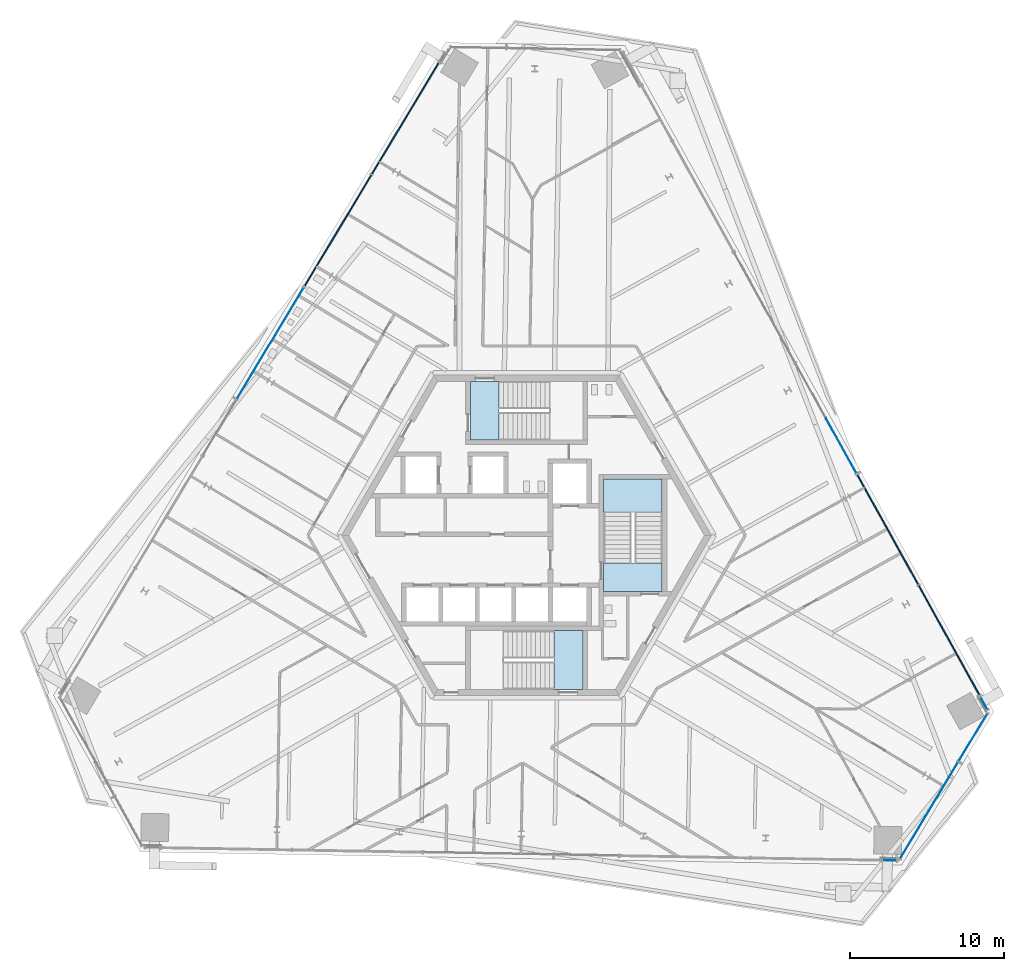
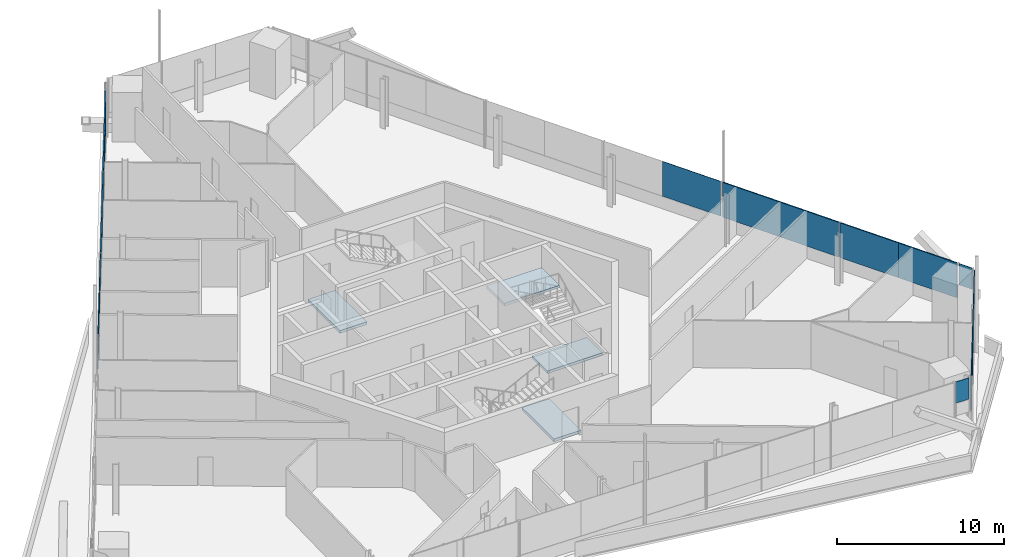
# One storey, part 12 of 22: 16 plates, 4 slabs, 10 elements without a shape of their own.
"""IFC4 building model written with IfcOpenShell, lengths in metres."""

from ifc_helpers import new_model, si_unit, direction, frame, origin, origin_2d, place, context, subcontext, project, spatial, polyline, rectangle, outline, extrude, source, transform, mapped, material, layer, layer_set, type_object, element, aggregate, save


model = new_model("IFC4")

# Units and contexts
model_context = context("Model", 3, precision=1e-05, world=origin(), true_north=direction((0.0, 1.0)))
body_context = subcontext(model_context, "Body", "Model", "MODEL_VIEW")
ifc_project = project(units=[si_unit("LENGTHUNIT", "METRE"), si_unit("AREAUNIT", "SQUARE_METRE"), si_unit("VOLUMEUNIT", "CUBIC_METRE"), si_unit("PLANEANGLEUNIT", "RADIAN"), si_unit("MASSUNIT", "GRAM", prefix="KILO")], contexts=[model_context])

# Site, building, storey
site_placement = place(None, origin())
site = spatial("IfcSite", under=ifc_project, at=site_placement, CompositionType="ELEMENT")
building_placement = place(site_placement, origin())
building = spatial("IfcBuilding", under=site, at=building_placement, Name="Triune Harvest Tower", CompositionType="ELEMENT")
storey_placement = place(building_placement, frame((0.0, 0.0, 179.89990234375)))
storey = spatial("IfcBuildingStorey", under=building, at=storey_placement, Name="L46", CompositionType="ELEMENT", Elevation=179.89990234375)

# Curtain wall, plate
ifc_material_1 = material(Name="Aluminium bronze anodised", Category="aluminium")
curtain_wall_type_1 = type_object("IfcCurtainWallType", Name="CW-1 Tower stick curtain wall", PredefinedType="NOTDEFINED", material=ifc_material_1)
curtain_wall_1_placement = place(storey_placement, origin())
curtain_wall_1 = element("IfcCurtainWall", 1, at=curtain_wall_1_placement, inside=storey, type_object=curtain_wall_type_1, Name="CW-1 B5-F3 L46 run 1101")
ifc_material_2 = material(Name="Glass", Category="glass")
ifc_layer_1 = layer(ifc_material_2, 0.031982421875)
ifc_layer_set_1 = layer_set([ifc_layer_1], Name="Glass")
plate_type_1 = type_object("IfcPlateType", Name="GL-1 panel 32", PredefinedType="CURTAIN_PANEL", material=ifc_layer_set_1)
plate_1_placement = place(storey_placement, frame((-17.714111328125, 10.66552734375, 0.900146484375), z_axis=(0.0, 0.0, 1.0), x_axis=(-0.515043008225, -0.857164336448, 0.0)))
plate_1 = element("IfcPlate", 2, at=plate_1_placement, type_object=plate_type_1, Name="CW-1 panel B5-F3 1101.2", PredefinedType="CURTAIN_PANEL", context=body_context, shape_type="SweptSolid", body=[
    extrude(rectangle(XDim=4.216552734375, YDim=0.031982421875, at=origin_2d()), origin(), (0.0, 0.0, 1.0), 2.5400390625),
])

curtain_wall_2_placement = place(storey_placement, origin())
curtain_wall_2 = element("IfcCurtainWall", 3, at=curtain_wall_2_placement, inside=storey, type_object=curtain_wall_type_1, Name="CW-1 B5-F5 L46 run 201")
plate_2_placement = place(storey_placement, frame((23.5556640625, -21.09130859375, 1.88525390625), z_axis=(0.0, 0.0, 1.0), x_axis=(0.999848863324, -0.017385353313, 0.0)))
plate_2 = element("IfcPlate", 4, at=plate_2_placement, type_object=plate_type_1, Name="CW-1 panel B5-F5 201.1", PredefinedType="CURTAIN_PANEL", context=body_context, shape_type="SweptSolid", body=[
    extrude(rectangle(XDim=0.89697265625, YDim=0.031982421875, at=origin_2d()), origin(), (0.0, 0.0, 1.0), 1.554931640625),
])
aggregate(curtain_wall_2, [plate_2])

# Stair, slab
ifc_material_3 = material(Name="Concrete 40 MPa", Category="concrete")
stair_type = type_object("IfcStairType", Name="Exit stair 1800 half turn", PredefinedType="HALF_TURN_STAIR", material=ifc_material_3)
stair_1_placement = place(storey_placement, origin())
stair_1 = element("IfcStair", 5, at=stair_1_placement, inside=storey, type_object=stair_type, Name="Exit stair north", PredefinedType="HALF_TURN_STAIR")
ifc_material_4 = material(Name="Concrete 40 MPa", Category="concrete")
ifc_layer_2 = layer(ifc_material_4, 0.199951171875)
ifc_layer_set_2 = layer_set([ifc_layer_2], Name="Concrete 40 MPa")
slab_type = type_object("IfcSlabType", Name="Stair landing 200", PredefinedType="LANDING", material=ifc_layer_set_2)
shared_shape_1 = source(origin(), body_context, "Body", "SweptSolid", [
    extrude(outline(polyline([(-3.64990234375, 6.18994140625), (-1.780029296875, 6.18994140625), (-1.780029296875, 9.989990234375), (-3.64990234375, 9.989990234375), (-3.64990234375, 6.18994140625)])), origin(), (0.0, 0.0, 1.0), 0.199951171875),
])
slab_1_placement = place(storey_placement, frame((0.0, 0.0, -0.199951171875)))
slab_1 = element("IfcSlab", 6, at=slab_1_placement, type_object=slab_type, Name="ST-1 landing 1", PredefinedType="LANDING", context=body_context, shape_type="MappedRepresentation", body=[
    mapped(shared_shape_1, transform((0.0, 0.0, 0.0), scale=1.0)),
])
aggregate(stair_1, [slab_1])

stair_2_placement = place(storey_placement, origin())
stair_2 = element("IfcStair", 7, at=stair_2_placement, inside=storey, type_object=stair_type, Name="Exit stair south", PredefinedType="HALF_TURN_STAIR")
shared_shape_2 = source(origin(), body_context, "Body", "SweptSolid", [
    extrude(outline(polyline([(3.64990234375, -6.18994140625), (1.780029296875, -6.18994140625), (1.780029296875, -9.989990234375), (3.64990234375, -9.989990234375), (3.64990234375, -6.18994140625)])), origin(), (0.0, 0.0, 1.0), 0.199951171875),
])
slab_2_placement = place(storey_placement, frame((0.0, 0.0, -0.199951171875)))
slab_2 = element("IfcSlab", 8, at=slab_2_placement, type_object=slab_type, Name="ST-2 landing 1", PredefinedType="LANDING", context=body_context, shape_type="MappedRepresentation", body=[
    mapped(shared_shape_2, transform((0.0, 0.0, 0.0), scale=1.0)),
])
aggregate(stair_2, [slab_2])

# Stair, slabs
stair_3_placement = place(storey_placement, origin())
stair_3 = element("IfcStair", 9, at=stair_3_placement, inside=storey, type_object=stair_type, Name="Exit stair east", PredefinedType="HALF_TURN_STAIR")
shared_shape_3 = source(origin(), body_context, "Body", "SweptSolid", [
    extrude(outline(polyline([(8.800048828125, 1.510009765625), (8.800048828125, 3.64990234375), (5.0, 3.64990234375), (5.0, 1.510009765625), (8.800048828125, 1.510009765625)])), origin(), (0.0, 0.0, 1.0), 0.199951171875),
])
slab_3_placement = place(storey_placement, frame((0.0, 0.0, 1.60009765625)))
slab_3 = element("IfcSlab", 10, at=slab_3_placement, type_object=slab_type, Name="ST-3 landing 2", PredefinedType="LANDING", context=body_context, shape_type="MappedRepresentation", body=[
    mapped(shared_shape_3, transform((0.0, 0.0, 0.0), scale=1.0)),
])
shared_shape_4 = source(origin(), body_context, "Body", "SweptSolid", [
    extrude(outline(polyline([(8.800048828125, -3.64990234375), (8.800048828125, -1.780029296875), (5.0, -1.780029296875), (5.0, -3.64990234375), (8.800048828125, -3.64990234375)])), origin(), (0.0, 0.0, 1.0), 0.199951171875),
])
slab_4_placement = place(storey_placement, frame((0.0, 0.0, -0.199951171875)))
slab_4 = element("IfcSlab", 11, at=slab_4_placement, type_object=slab_type, Name="ST-3 landing 1", PredefinedType="LANDING", context=body_context, shape_type="MappedRepresentation", body=[
    mapped(shared_shape_4, transform((0.0, 0.0, 0.0), scale=1.0)),
])
aggregate(stair_3, [slab_4, slab_3])

# Curtain wall, plate
curtain_wall_3_placement = place(storey_placement, origin())
curtain_wall_3 = element("IfcCurtainWall", 12, at=curtain_wall_3_placement, inside=storey, type_object=curtain_wall_type_1, Name="CW-1 B5-F1 L46 run 1")
shared_shape_5 = source(origin(), body_context, "Body", "SweptSolid", [
    extrude(rectangle(XDim=0.896728515625, YDim=0.031982421875, at=origin_2d()), origin(), (0.0, 0.0, 1.0), 1.554931640625),
])
plate_3_placement = place(storey_placement, frame((29.68115234375, -10.896484375, 1.88525390625), z_axis=(0.0, 0.0, 1.0), x_axis=(-0.484791083337, 0.874629982059, 0.0)))
plate_3 = element("IfcPlate", 13, at=plate_3_placement, type_object=plate_type_1, Name="CW-1 panel B5-F1 1.1", PredefinedType="CURTAIN_PANEL", context=body_context, shape_type="MappedRepresentation", body=[
    mapped(shared_shape_5, transform((0.0, 0.0, 0.0), scale=1.0)),
])
aggregate(curtain_wall_3, [plate_3])

# Curtain wall, plates
ifc_material_5 = material(Name="Aluminium bronze anodised", Category="aluminium")
curtain_wall_type_2 = type_object("IfcCurtainWallType", Name="CW-7 Tower stick curtain wall with insulated spandrel infill", PredefinedType="NOTDEFINED", material=ifc_material_5)
curtain_wall_4_placement = place(storey_placement, origin())
curtain_wall_4 = element("IfcCurtainWall", 14, at=curtain_wall_4_placement, inside=storey, type_object=curtain_wall_type_2, Name="CW-7 B5-F1 L46 run 101")
ifc_material_6 = material(Name="Insulated spandrel panel, bronze aluminium pan", Category="aluminium")
ifc_layer_3 = layer(ifc_material_6, 0.080078125)
ifc_layer_set_3 = layer_set([ifc_layer_3], Name="Insulated spandrel panel, bronze aluminium pan")
plate_type_2 = type_object("IfcPlateType", Name="SP-1 insulated spandrel panel 80", PredefinedType="CURTAIN_PANEL", material=ifc_layer_set_3)
shared_shape_6 = source(origin(), body_context, "Body", "SweptSolid", [
    extrude(rectangle(XDim=4.0458984375, YDim=0.080078125, at=origin_2d()), origin(), (0.0, 0.0, 1.0), 2.5400390625),
])
plate_4_placement = place(storey_placement, frame((28.410400390625, -8.603759765625, 0.900146484375), z_axis=(0.0, 0.0, 1.0), x_axis=(-0.484810341563, 0.874619307307, 0.0)))
plate_4 = element("IfcPlate", 15, at=plate_4_placement, type_object=plate_type_2, Name="CW-7 panel B5-F1 101.1", PredefinedType="CURTAIN_PANEL", context=body_context, shape_type="MappedRepresentation", body=[
    mapped(shared_shape_6, transform((0.0, 0.0, 0.0), scale=1.0)),
])
plate_5_placement = place(storey_placement, frame((22.453125, 2.1435546875, 0.900146484375), z_axis=(0.0, 0.0, 1.0), x_axis=(-0.484810341563, 0.874619307307, 0.0)))
plate_5 = element("IfcPlate", 16, at=plate_5_placement, type_object=plate_type_2, Name="CW-7 panel B5-F1 101.4", PredefinedType="CURTAIN_PANEL", context=body_context, shape_type="MappedRepresentation", body=[
    mapped(shared_shape_6, transform((0.0, 0.0, 0.0), scale=1.0)),
])
shared_shape_7 = source(origin(), body_context, "Body", "SweptSolid", [
    extrude(rectangle(XDim=4.08349609375, YDim=0.080078125, at=origin_2d()), origin(), (0.0, 0.0, 1.0), 2.5400390625),
])
plate_6_placement = place(storey_placement, frame((26.439697265625, -5.048828125, 0.900146484375), z_axis=(0.0, 0.0, 1.0), x_axis=(-0.484810341563, 0.874619307307, 0.0)))
plate_6 = element("IfcPlate", 17, at=plate_6_placement, type_object=plate_type_2, Name="CW-7 panel B5-F1 101.2", PredefinedType="CURTAIN_PANEL", context=body_context, shape_type="MappedRepresentation", body=[
    mapped(shared_shape_7, transform((0.0, 0.0, 0.0), scale=1.0)),
])
plate_7_placement = place(storey_placement, frame((24.423583984375, -1.41162109375, 0.900146484375), z_axis=(0.0, 0.0, 1.0), x_axis=(-0.484810341563, 0.874619307307, 0.0)))
plate_7 = element("IfcPlate", 18, at=plate_7_placement, type_object=plate_type_2, Name="CW-7 panel B5-F1 101.3", PredefinedType="CURTAIN_PANEL", context=body_context, shape_type="MappedRepresentation", body=[
    mapped(shared_shape_7, transform((0.0, 0.0, 0.0), scale=1.0)),
])
aggregate(curtain_wall_4, [plate_4, plate_6, plate_7, plate_5])

# Curtain wall, plate
curtain_wall_5_placement = place(storey_placement, origin())
curtain_wall_5 = element("IfcCurtainWall", 19, at=curtain_wall_5_placement, inside=storey, type_object=curtain_wall_type_1, Name="CW-1 B5-F1 L46 run 1101")
shared_shape_8 = source(origin(), body_context, "Body", "SweptSolid", [
    extrude(rectangle(XDim=4.0458984375, YDim=0.031982421875, at=origin_2d()), origin(), (0.0, 0.0, 1.0), 2.5400390625),
])
plate_8_placement = place(storey_placement, frame((20.418701171875, 5.8134765625, 0.900146484375), z_axis=(0.0, 0.0, 1.0), x_axis=(-0.484807769227, 0.874620733173, 0.0)))
plate_8 = element("IfcPlate", 20, at=plate_8_placement, type_object=plate_type_1, Name="CW-1 panel B5-F1 1101.1", PredefinedType="CURTAIN_PANEL", context=body_context, shape_type="MappedRepresentation", body=[
    mapped(shared_shape_8, transform((0.0, 0.0, 0.0), scale=1.0)),
])
aggregate(curtain_wall_5, [plate_8])

# Curtain wall, plates
curtain_wall_6_placement = place(storey_placement, origin())
curtain_wall_6 = element("IfcCurtainWall", 21, at=curtain_wall_6_placement, inside=storey, type_object=curtain_wall_type_1, Name="CW-1 B5-F6 L46 run 1")
shared_shape_9 = source(origin(), body_context, "Body", "SweptSolid", [
    extrude(rectangle(XDim=3.625, YDim=0.031982421875, at=origin_2d()), origin(), (0.0, 0.0, 1.0), 2.5400390625),
])
plate_9_placement = place(storey_placement, frame((25.1875, -19.406982421875, 0.900146484375), z_axis=(0.0, 0.0, 1.0), x_axis=(0.515036685882, 0.857168135313, 0.0)))
plate_9 = element("IfcPlate", 22, at=plate_9_placement, type_object=plate_type_1, Name="CW-1 panel B5-F6 1.1", PredefinedType="CURTAIN_PANEL", context=body_context, shape_type="MappedRepresentation", body=[
    mapped(shared_shape_9, transform((0.0, 0.0, 0.0), scale=1.0)),
])
shared_shape_10 = source(origin(), body_context, "Body", "SweptSolid", [
    extrude(rectangle(XDim=3.66259765625, YDim=0.031982421875, at=origin_2d()), origin(), (0.0, 0.0, 1.0), 2.5400390625),
])
plate_10_placement = place(storey_placement, frame((27.064208984375, -16.28369140625, 0.900146484375), z_axis=(0.0, 0.0, 1.0), x_axis=(0.515036685882, 0.857168135313, 0.0)))
plate_10 = element("IfcPlate", 23, at=plate_10_placement, type_object=plate_type_1, Name="CW-1 panel B5-F6 1.2", PredefinedType="CURTAIN_PANEL", context=body_context, shape_type="MappedRepresentation", body=[
    mapped(shared_shape_10, transform((0.0, 0.0, 0.0), scale=1.0)),
])
shared_shape_11 = source(origin(), body_context, "Body", "SweptSolid", [
    extrude(rectangle(XDim=3.587646484375, YDim=0.031982421875, at=origin_2d()), origin(), (0.0, 0.0, 1.0), 2.5400390625),
])
plate_11_placement = place(storey_placement, frame((28.9697265625, -13.112060546875, 0.900146484375), z_axis=(0.0, 0.0, 1.0), x_axis=(0.515036685882, 0.857168135313, 0.0)))
plate_11 = element("IfcPlate", 24, at=plate_11_placement, type_object=plate_type_1, Name="CW-1 panel B5-F6 1.3", PredefinedType="CURTAIN_PANEL", context=body_context, shape_type="MappedRepresentation", body=[
    mapped(shared_shape_11, transform((0.0, 0.0, 0.0), scale=1.0)),
])
aggregate(curtain_wall_6, [plate_9, plate_10, plate_11])

curtain_wall_7_placement = place(storey_placement, origin())
curtain_wall_7 = element("IfcCurtainWall", 25, at=curtain_wall_7_placement, inside=storey, type_object=curtain_wall_type_2, Name="CW-7 B5-F3 L46 run 101")
shared_shape_12 = source(origin(), body_context, "Body", "SweptSolid", [
    extrude(rectangle(XDim=4.178955078125, YDim=0.080078125, at=origin_2d()), origin(), (0.0, 0.0, 1.0), 2.5400390625),
])
plate_12_placement = place(storey_placement, frame((-6.788330078125, 28.848876953125, 0.900146484375), z_axis=(0.0, 0.0, 1.0), x_axis=(-0.515034081961, -0.857169699895, 0.0)))
plate_12 = element("IfcPlate", 26, at=plate_12_placement, type_object=plate_type_2, Name="CW-7 panel B5-F3 101.1", PredefinedType="CURTAIN_PANEL", context=body_context, shape_type="MappedRepresentation", body=[
    mapped(shared_shape_12, transform((0.0, 0.0, 0.0), scale=1.0)),
])
plate_13_placement = place(storey_placement, frame((-13.322509765625, 17.97412109375, 0.900146484375), z_axis=(0.0, 0.0, 1.0), x_axis=(-0.515034081961, -0.857169699895, 0.0)))
plate_13 = element("IfcPlate", 27, at=plate_13_placement, type_object=plate_type_2, Name="CW-7 panel B5-F3 101.4", PredefinedType="CURTAIN_PANEL", context=body_context, shape_type="MappedRepresentation", body=[
    mapped(shared_shape_12, transform((0.0, 0.0, 0.0), scale=1.0)),
])
shared_shape_13 = source(origin(), body_context, "Body", "SweptSolid", [
    extrude(rectangle(XDim=4.216552734375, YDim=0.080078125, at=origin_2d()), origin(), (0.0, 0.0, 1.0), 2.5400390625),
])
plate_14_placement = place(storey_placement, frame((-8.950439453125, 25.250732421875, 0.900146484375), z_axis=(0.0, 0.0, 1.0), x_axis=(-0.515034081961, -0.857169699895, 0.0)))
plate_14 = element("IfcPlate", 28, at=plate_14_placement, type_object=plate_type_2, Name="CW-7 panel B5-F3 101.2", PredefinedType="CURTAIN_PANEL", context=body_context, shape_type="MappedRepresentation", body=[
    mapped(shared_shape_13, transform((0.0, 0.0, 0.0), scale=1.0)),
])
plate_15_placement = place(storey_placement, frame((-11.16064453125, 21.572265625, 0.900146484375), z_axis=(0.0, 0.0, 1.0), x_axis=(-0.515034081961, -0.857169699895, 0.0)))
plate_15 = element("IfcPlate", 29, at=plate_15_placement, type_object=plate_type_2, Name="CW-7 panel B5-F3 101.3", PredefinedType="CURTAIN_PANEL", context=body_context, shape_type="MappedRepresentation", body=[
    mapped(shared_shape_13, transform((0.0, 0.0, 0.0), scale=1.0)),
])
aggregate(curtain_wall_7, [plate_12, plate_14, plate_15, plate_13])

# Plate
shared_shape_14 = source(origin(), body_context, "Body", "SweptSolid", [
    extrude(rectangle(XDim=4.178955078125, YDim=0.031982421875, at=origin_2d()), origin(), (0.0, 0.0, 1.0), 2.5400390625),
])
plate_16_placement = place(storey_placement, frame((-15.552001953125, 14.263671875, 0.900146484375), z_axis=(0.0, 0.0, 1.0), x_axis=(-0.515043008225, -0.857164336448, 0.0)))
plate_16 = element("IfcPlate", 30, at=plate_16_placement, type_object=plate_type_1, Name="CW-1 panel B5-F3 1101.1", PredefinedType="CURTAIN_PANEL", context=body_context, shape_type="MappedRepresentation", body=[
    mapped(shared_shape_14, transform((0.0, 0.0, 0.0), scale=1.0)),
])

aggregate(curtain_wall_1, [plate_16, plate_1])

save(model, "model.ifc")
